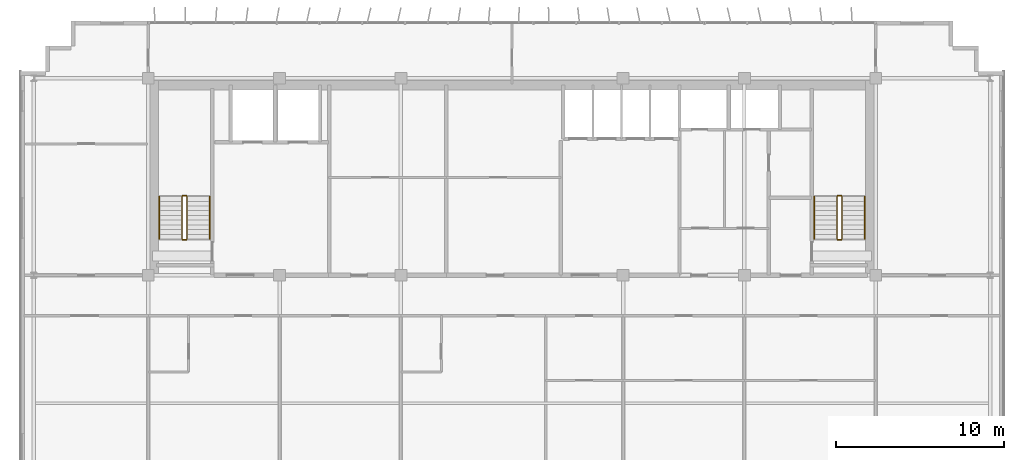
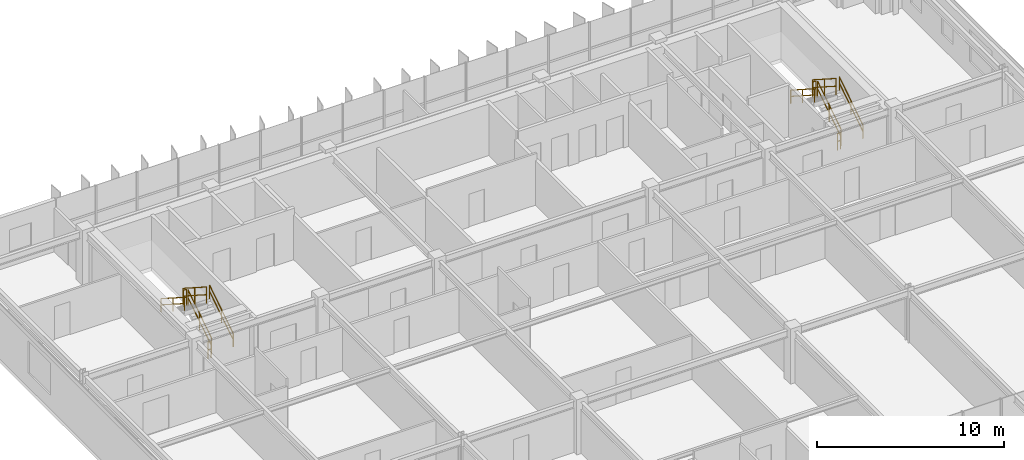
# One storey, part 27 of 27: 12 railings.
"""IFC4 building model written with IfcOpenShell, lengths in metres."""

import ifcopenshell
import ifcopenshell.guid

model = None  # the IFC model being written
_history = None  # IfcOwnerHistory: only IFC2X3 demands one
_inside = {}  # id of a spatial element -> (the spatial element, [elements in it])
_under = {}  # id of a project, library or spatial element -> (it, [spatial elements below it])
_declared = {}  # id of a project -> (the project, [libraries it declares])
_typed = {}  # id of a type object -> (the type object, [elements of that type])
_made_of = {}  # id of a material, layer set ... -> (it, [elements and type objects made of it])


def new_model(schema):
    """Start an empty IFC model of exactly this schema.

    Asked for "IFC4X3", IfcOpenShell would pick the latest addendum, in which some entities
    have other attributes; the version numbers below select the first issue.
    IFC2X3 requires an IfcOwnerHistory on every rooted entity: one is made here for all.
    """
    global model, _history
    if schema == "IFC4X3":
        model = ifcopenshell.file(schema_version=(4, 3, 0, 0))
    else:
        model = ifcopenshell.file(schema=schema)
    _inside.clear()
    _under.clear()
    _declared.clear()
    _typed.clear()
    _made_of.clear()
    _history = None
    if model.schema == "IFC2X3":
        org = make("IfcOrganization", Name="unknown")
        user = make(
            "IfcPersonAndOrganization",
            ThePerson=make("IfcPerson", FamilyName="unknown"),
            TheOrganization=org,
        )
        app = make(
            "IfcApplication",
            ApplicationDeveloper=org,
            Version="unknown",
            ApplicationFullName="unknown",
            ApplicationIdentifier="unknown",
        )
        _history = make(
            "IfcOwnerHistory",
            OwningUser=user,
            OwningApplication=app,
            ChangeAction="ADDED",
            CreationDate=0,
        )
    return model


def make(cls, **values):
    """One entity of the class cls with the attributes given. An attribute that is None is left unset."""
    return model.create_entity(
        cls, **{name: value for name, value in values.items() if value is not None}
    )


def rooted(cls, **values):
    """An entity with a GlobalId (a new one), such as an element, a storey or a relation."""
    return make(cls, GlobalId=ifcopenshell.guid.new(), OwnerHistory=_history, **values)


def si_unit(unit_type, name, prefix=None):
    """IfcSIUnit, for example si_unit("LENGTHUNIT", "METRE", prefix="MILLI")."""
    return make("IfcSIUnit", UnitType=unit_type, Prefix=prefix, Name=name)


def assignment(units):
    """IfcUnitAssignment: the units of a project."""
    return None if units is None else make("IfcUnitAssignment", Units=units)


def point(xyz):
    """IfcCartesianPoint."""
    return None if xyz is None else make("IfcCartesianPoint", Coordinates=xyz)


def direction(xyz):
    """IfcDirection."""
    return None if xyz is None else make("IfcDirection", DirectionRatios=xyz)


def frame(location, z_axis=None, x_axis=None):
    """IfcAxis2Placement3D, a coordinate frame: its origin and axes. An axis left out is left unset."""
    return make(
        "IfcAxis2Placement3D",
        Location=point(location),
        Axis=direction(z_axis),
        RefDirection=direction(x_axis),
    )


def frame_2d(location, x_axis=None):
    """IfcAxis2Placement2D, a coordinate frame in the plane: its origin and x axis."""
    return make(
        "IfcAxis2Placement2D", Location=point(location), RefDirection=direction(x_axis)
    )


def origin():
    """The frame at (0, 0, 0) with its axes left unset."""
    return frame((0.0, 0.0, 0.0))


def origin_2d():
    """The frame at (0, 0) in the plane with its x axis left unset."""
    return frame_2d((0.0, 0.0))


def place(relative_to, where):
    """IfcLocalPlacement: puts the frame where relative to a parent placement (None: the world)."""
    return make(
        "IfcLocalPlacement", PlacementRelTo=relative_to, RelativePlacement=where
    )


def context(
    kind, dimensions, precision=None, world=None, true_north=None, identifier=None
):
    """IfcGeometricRepresentationContext, for example the 3D "Model" context."""
    return make(
        "IfcGeometricRepresentationContext",
        ContextIdentifier=identifier,
        ContextType=kind,
        CoordinateSpaceDimension=dimensions,
        Precision=precision,
        WorldCoordinateSystem=world,
        TrueNorth=true_north,
    )


def subcontext(parent, identifier, kind, view, scale=None):
    """IfcGeometricRepresentationSubContext, for example "Body" below "Model"."""
    return make(
        "IfcGeometricRepresentationSubContext",
        ContextIdentifier=identifier,
        ContextType=kind,
        ParentContext=parent,
        TargetScale=scale,
        TargetView=view,
    )


def project(units=None, contexts=None):
    """IfcProject with its units and contexts."""
    return rooted(
        "IfcProject",
        Name="project",
        RepresentationContexts=contexts,
        UnitsInContext=assignment(units),
    )


def spatial(cls, under=None, at=None, **own):
    """A site, building, storey or space (cls), placed at a placement, below another one or the project."""
    s = rooted(cls, ObjectPlacement=at, **own)
    if under is not None:
        _under.setdefault(under.id(), (under, []))[1].append(s)
    return s


def profile(cls, at=None, kind="AREA", **sizes):
    """A parametric profile (cls). Its sizes go by their IFC names, for example OverallWidth=200.0."""
    return make(cls, ProfileType=kind, Position=at, **sizes)


def rectangle(**sizes):
    """IfcRectangleProfileDef."""
    return profile("IfcRectangleProfileDef", **sizes)


def extrude(swept, where, along, depth):
    """IfcExtrudedAreaSolid: the profile swept, set in the frame where, extruded along a direction by depth."""
    return make(
        "IfcExtrudedAreaSolid",
        SweptArea=swept,
        Position=where,
        ExtrudedDirection=direction(along),
        Depth=depth,
    )


def shape(context_of_items, identifier, shape_type, items):
    """IfcShapeRepresentation: the items that make up one representation, for example the "Body"."""
    return make(
        "IfcShapeRepresentation",
        ContextOfItems=context_of_items,
        RepresentationIdentifier=identifier,
        RepresentationType=shape_type,
        Items=items,
    )


def material(Name=None, Category=None):
    """IfcMaterial."""
    return make("IfcMaterial", Name=Name, Category=Category)


def made_of(thing, what):
    """Note that an element or type object is made of a material, layer set ...; save() writes the relation."""
    if what is not None:
        _made_of.setdefault(what.id(), (what, []))[1].append(thing)
    return thing


def type_object(cls, material=None, **own):
    """A type object (cls), such as IfcWallType, which elements share."""
    return made_of(rooted(cls, **own), material)


def element(
    cls,
    number,
    at=None,
    inside=None,
    cuts=None,
    type_object=None,
    material=None,
    context=None,
    identifier="Body",
    shape_type=None,
    held_by="IfcProductDefinitionShape",
    body=None,
    shapes=None,
    **own,
):
    """One element of the class cls, such as IfcWall. Its Tag is "e" and its number.

    at: its placement. inside: the storey or other place that contains it. cuts: it is an
    opening in that element (IfcRelVoidsElement). A single representation is given by context,
    identifier, shape_type and body (its items); several are given by shapes. held_by: the class
    of the entity that holds the representations. save() writes the other relations.
    """
    e = rooted(cls, Tag="e%d" % number, ObjectPlacement=at, **own)
    if body is not None:
        shapes = [shape(context, identifier, shape_type, body)]
    if shapes is not None:
        e.Representation = make(held_by, Representations=shapes)
    if inside is not None:
        _inside.setdefault(inside.id(), (inside, []))[1].append(e)
    if cuts is not None:
        rooted(
            "IfcRelVoidsElement", RelatingBuildingElement=cuts, RelatedOpeningElement=e
        )
    if type_object is not None:
        _typed.setdefault(type_object.id(), (type_object, []))[1].append(e)
    return made_of(e, material)


def aggregate(whole, parts):
    """IfcRelAggregates: a whole, such as a stair, and the parts it consists of."""
    return rooted("IfcRelAggregates", RelatingObject=whole, RelatedObjects=parts)


def save(model, path):
    """Write the relations noted so far, then the file.

    IfcRelAggregates (storeys below a building ...), IfcRelContainedInSpatialStructure (elements
    in a storey), IfcRelDefinesByType, IfcRelAssociatesMaterial and IfcRelDeclares: one each for
    every whole, place, type object, material and project.
    """
    for whole, parts in _under.values():
        aggregate(whole, parts)
    for where, things in _inside.values():
        rooted(
            "IfcRelContainedInSpatialStructure",
            RelatedElements=things,
            RelatingStructure=where,
        )
    for kind, things in _typed.values():
        rooted("IfcRelDefinesByType", RelatedObjects=things, RelatingType=kind)
    for what, things in _made_of.values():
        rooted("IfcRelAssociatesMaterial", RelatedObjects=things, RelatingMaterial=what)
    for by, libraries in _declared.values():
        rooted("IfcRelDeclares", RelatingContext=by, RelatedDefinitions=libraries)
    model.write(path)


model = new_model("IFC4")

# Units and contexts
model_context = context("Model", 3, precision=1e-05, world=origin(), true_north=direction((0.0, 1.0)))
body_context = subcontext(model_context, "Body", "Model", "MODEL_VIEW")
ifc_project = project(units=[si_unit("LENGTHUNIT", "METRE"), si_unit("AREAUNIT", "SQUARE_METRE"), si_unit("VOLUMEUNIT", "CUBIC_METRE"), si_unit("PLANEANGLEUNIT", "RADIAN"), si_unit("MASSUNIT", "GRAM", prefix="KILO")], contexts=[model_context])

# Site, building, storey
site_placement = place(None, origin())
site = spatial("IfcSite", under=ifc_project, at=site_placement, CompositionType="ELEMENT")
building_placement = place(site_placement, origin())
building = spatial("IfcBuilding", under=site, at=building_placement, Name="Trelvane Seafront Commons", CompositionType="ELEMENT")
storey_placement = place(building_placement, frame((0.0, 0.0, 233.699951171875)))
storey = spatial("IfcBuildingStorey", under=building, at=storey_placement, Name="L61", CompositionType="ELEMENT", Elevation=233.699951171875)

# Railings
ifc_material = material(Name="Stainless steel balustrade", Category="steel")
railing_type_1 = type_object("IfcRailingType", Name="ARCH-SRL-GUARD", PredefinedType="GUARDRAIL", material=ifc_material)
railing_1_placement = place(storey_placement, frame((17.89990234375, 35.550048828125, 0.179931640625)))
element("IfcRailing", 1, at=railing_1_placement, inside=storey, type_object=railing_type_1, Name="L61 ST-1 stair guard 1", PredefinedType="GUARDRAIL", context=body_context, shape_type="SweptSolid", body=[
    extrude(rectangle(XDim=0.048095703125, YDim=0.048095703125, at=origin_2d()), frame((0.0, 0.0, 1.076171875), z_axis=(0.0, 0.841162588446, 0.540782303519), x_axis=(-1.0, 0.0, 0.0)), (0.0, 0.0, 1.0), 2.995849609375),
    extrude(rectangle(XDim=0.048095703125, YDim=0.048095703125, at=origin_2d()), frame((0.0, 0.0, 0.572021484375), z_axis=(0.0, 0.841162588446, 0.540782303519), x_axis=(-1.0, 0.0, 0.0)), (0.0, 0.0, 1.0), 2.995849609375),
    extrude(rectangle(XDim=0.0419921875, YDim=0.0419921875, at=origin_2d()), origin(), (0.0, 0.0, 1.0), 1.076171875),
    extrude(rectangle(XDim=0.0419921875, YDim=0.0419921875, at=origin_2d()), frame((0.0, 1.260009765625, 0.81005859375)), (0.0, 0.0, 1.0), 1.076171875),
    extrude(rectangle(XDim=0.0419921875, YDim=0.0419921875, at=origin_2d()), frame((0.0, 2.52001953125, 1.6201171875)), (0.0, 0.0, 1.0), 1.076171875),
])
railing_2_placement = place(storey_placement, frame((17.85009765625, 38.1201171875, 1.800048828125)))
element("IfcRailing", 2, at=railing_2_placement, inside=storey, type_object=railing_type_1, Name="L61 ST-1 stair guard 2", PredefinedType="GUARDRAIL", context=body_context, shape_type="SweptSolid", body=[
    extrude(rectangle(XDim=0.048095703125, YDim=0.048095703125, at=origin_2d()), frame((0.0, 0.0, 1.076171875), z_axis=(-1.0, 0.0, 0.0), x_axis=(0.0, -1.0, 0.0)), (0.0, 0.0, 1.0), 0.2001953125),
    extrude(rectangle(XDim=0.048095703125, YDim=0.048095703125, at=origin_2d()), frame((0.0, 0.0, 0.572021484375), z_axis=(-1.0, 0.0, 0.0), x_axis=(0.0, -1.0, 0.0)), (0.0, 0.0, 1.0), 0.2001953125),
    extrude(rectangle(XDim=0.0419921875, YDim=0.0419921875, at=origin_2d()), origin(), (0.0, 0.0, 1.0), 1.076171875),
    extrude(rectangle(XDim=0.0419921875, YDim=0.0419921875, at=origin_2d()), frame((-0.2001953125, 0.0, 0.0)), (0.0, 0.0, 1.0), 1.076171875),
])
railing_3_placement = place(storey_placement, frame((17.60009765625, 38.070068359375, 1.97998046875)))
element("IfcRailing", 3, at=railing_3_placement, inside=storey, type_object=railing_type_1, Name="L61 ST-1 stair guard 3", PredefinedType="GUARDRAIL", context=body_context, shape_type="SweptSolid", body=[
    extrude(rectangle(XDim=0.048095703125, YDim=0.048095703125, at=origin_2d()), frame((0.0, 0.0, 1.076171875), z_axis=(0.0, -0.841162588446, 0.540782303519), x_axis=(1.0, 0.0, 0.0)), (0.0, 0.0, 1.0), 2.995849609375),
    extrude(rectangle(XDim=0.048095703125, YDim=0.048095703125, at=origin_2d()), frame((0.0, 0.0, 0.572021484375), z_axis=(0.0, -0.841162588446, 0.540782303519), x_axis=(1.0, 0.0, 0.0)), (0.0, 0.0, 1.0), 2.995849609375),
    extrude(rectangle(XDim=0.0419921875, YDim=0.0419921875, at=origin_2d()), origin(), (0.0, 0.0, 1.0), 1.076171875),
    extrude(rectangle(XDim=0.0419921875, YDim=0.0419921875, at=origin_2d()), frame((0.0, -1.260009765625, 0.81005859375)), (0.0, 0.0, 1.0), 1.076171875),
    extrude(rectangle(XDim=0.0419921875, YDim=0.0419921875, at=origin_2d()), frame((0.0, -2.52001953125, 1.6201171875)), (0.0, 0.0, 1.0), 1.076171875),
])
railing_4_placement = place(storey_placement, frame((17.85009765625, 35.5, 0.0)))
element("IfcRailing", 4, at=railing_4_placement, inside=storey, type_object=railing_type_1, Name="L61 ST-1 stair guard 4", PredefinedType="GUARDRAIL", context=body_context, shape_type="SweptSolid", body=[
    extrude(rectangle(XDim=0.048095703125, YDim=0.048095703125, at=origin_2d()), frame((0.0, 0.0, 1.076171875), z_axis=(-1.0, 0.0, 0.0), x_axis=(0.0, -1.0, 0.0)), (0.0, 0.0, 1.0), 0.2001953125),
    extrude(rectangle(XDim=0.048095703125, YDim=0.048095703125, at=origin_2d()), frame((0.0, 0.0, 0.572021484375), z_axis=(-1.0, 0.0, 0.0), x_axis=(0.0, -1.0, 0.0)), (0.0, 0.0, 1.0), 0.2001953125),
    extrude(rectangle(XDim=0.0419921875, YDim=0.0419921875, at=origin_2d()), origin(), (0.0, 0.0, 1.0), 1.076171875),
    extrude(rectangle(XDim=0.0419921875, YDim=0.0419921875, at=origin_2d()), frame((-0.2001953125, 0.0, 0.0)), (0.0, 0.0, 1.0), 1.076171875),
])
railing_5_placement = place(storey_placement, frame((56.800048828125, 35.550048828125, 0.179931640625)))
element("IfcRailing", 5, at=railing_5_placement, inside=storey, type_object=railing_type_1, Name="L61 ST-2 stair guard 1", PredefinedType="GUARDRAIL", context=body_context, shape_type="SweptSolid", body=[
    extrude(rectangle(XDim=0.048095703125, YDim=0.048095703125, at=origin_2d()), frame((0.0, 0.0, 1.076171875), z_axis=(0.0, 0.841162588446, 0.540782303519), x_axis=(-1.0, 0.0, 0.0)), (0.0, 0.0, 1.0), 2.995849609375),
    extrude(rectangle(XDim=0.048095703125, YDim=0.048095703125, at=origin_2d()), frame((0.0, 0.0, 0.572021484375), z_axis=(0.0, 0.841162588446, 0.540782303519), x_axis=(-1.0, 0.0, 0.0)), (0.0, 0.0, 1.0), 2.995849609375),
    extrude(rectangle(XDim=0.0419921875, YDim=0.0419921875, at=origin_2d()), origin(), (0.0, 0.0, 1.0), 1.076171875),
    extrude(rectangle(XDim=0.0419921875, YDim=0.0419921875, at=origin_2d()), frame((0.0, 1.260009765625, 0.81005859375)), (0.0, 0.0, 1.0), 1.076171875),
    extrude(rectangle(XDim=0.0419921875, YDim=0.0419921875, at=origin_2d()), frame((0.0, 2.52001953125, 1.6201171875)), (0.0, 0.0, 1.0), 1.076171875),
])
railing_6_placement = place(storey_placement, frame((56.75, 38.1201171875, 1.800048828125)))
element("IfcRailing", 6, at=railing_6_placement, inside=storey, type_object=railing_type_1, Name="L61 ST-2 stair guard 2", PredefinedType="GUARDRAIL", context=body_context, shape_type="SweptSolid", body=[
    extrude(rectangle(XDim=0.048095703125, YDim=0.048095703125, at=origin_2d()), frame((0.0, 0.0, 1.076171875), z_axis=(-1.0, 0.0, 0.0), x_axis=(0.0, -1.0, 0.0)), (0.0, 0.0, 1.0), 0.199951171875),
    extrude(rectangle(XDim=0.048095703125, YDim=0.048095703125, at=origin_2d()), frame((0.0, 0.0, 0.572021484375), z_axis=(-1.0, 0.0, 0.0), x_axis=(0.0, -1.0, 0.0)), (0.0, 0.0, 1.0), 0.199951171875),
    extrude(rectangle(XDim=0.0419921875, YDim=0.0419921875, at=origin_2d()), origin(), (0.0, 0.0, 1.0), 1.076171875),
    extrude(rectangle(XDim=0.0419921875, YDim=0.0419921875, at=origin_2d()), frame((-0.199951171875, 0.0, 0.0)), (0.0, 0.0, 1.0), 1.076171875),
])
railing_7_placement = place(storey_placement, frame((56.5, 38.070068359375, 1.97998046875)))
element("IfcRailing", 7, at=railing_7_placement, inside=storey, type_object=railing_type_1, Name="L61 ST-2 stair guard 3", PredefinedType="GUARDRAIL", context=body_context, shape_type="SweptSolid", body=[
    extrude(rectangle(XDim=0.048095703125, YDim=0.048095703125, at=origin_2d()), frame((0.0, 0.0, 1.076171875), z_axis=(0.0, -0.841162588446, 0.540782303519), x_axis=(1.0, 0.0, 0.0)), (0.0, 0.0, 1.0), 2.995849609375),
    extrude(rectangle(XDim=0.048095703125, YDim=0.048095703125, at=origin_2d()), frame((0.0, 0.0, 0.572021484375), z_axis=(0.0, -0.841162588446, 0.540782303519), x_axis=(1.0, 0.0, 0.0)), (0.0, 0.0, 1.0), 2.995849609375),
    extrude(rectangle(XDim=0.0419921875, YDim=0.0419921875, at=origin_2d()), origin(), (0.0, 0.0, 1.0), 1.076171875),
    extrude(rectangle(XDim=0.0419921875, YDim=0.0419921875, at=origin_2d()), frame((0.0, -1.260009765625, 0.81005859375)), (0.0, 0.0, 1.0), 1.076171875),
    extrude(rectangle(XDim=0.0419921875, YDim=0.0419921875, at=origin_2d()), frame((0.0, -2.52001953125, 1.6201171875)), (0.0, 0.0, 1.0), 1.076171875),
])
railing_8_placement = place(storey_placement, frame((56.75, 35.5, 0.0)))
element("IfcRailing", 8, at=railing_8_placement, inside=storey, type_object=railing_type_1, Name="L61 ST-2 stair guard 4", PredefinedType="GUARDRAIL", context=body_context, shape_type="SweptSolid", body=[
    extrude(rectangle(XDim=0.048095703125, YDim=0.048095703125, at=origin_2d()), frame((0.0, 0.0, 1.076171875), z_axis=(-1.0, 0.0, 0.0), x_axis=(0.0, -1.0, 0.0)), (0.0, 0.0, 1.0), 0.199951171875),
    extrude(rectangle(XDim=0.048095703125, YDim=0.048095703125, at=origin_2d()), frame((0.0, 0.0, 0.572021484375), z_axis=(-1.0, 0.0, 0.0), x_axis=(0.0, -1.0, 0.0)), (0.0, 0.0, 1.0), 0.199951171875),
    extrude(rectangle(XDim=0.0419921875, YDim=0.0419921875, at=origin_2d()), origin(), (0.0, 0.0, 1.0), 1.076171875),
    extrude(rectangle(XDim=0.0419921875, YDim=0.0419921875, at=origin_2d()), frame((-0.199951171875, 0.0, 0.0)), (0.0, 0.0, 1.0), 1.076171875),
])
railing_type_2 = type_object("IfcRailingType", Name="ARCH-SRL-HAND", PredefinedType="HANDRAIL", material=ifc_material)
railing_9_placement = place(storey_placement, frame((19.25, 35.550048828125, 0.179931640625)))
element("IfcRailing", 9, at=railing_9_placement, inside=storey, type_object=railing_type_2, Name="L61 ST-1 stair handrail 1", PredefinedType="HANDRAIL", context=body_context, shape_type="SweptSolid", body=[
    extrude(rectangle(XDim=0.048095703125, YDim=0.048095703125, at=origin_2d()), frame((0.0, 0.0, 0.8759765625), z_axis=(0.0, 0.841162588446, 0.540782303519), x_axis=(-1.0, 0.0, 0.0)), (0.0, 0.0, 1.0), 2.995849609375),
    extrude(rectangle(XDim=0.048095703125, YDim=0.048095703125, at=origin_2d()), frame((0.0, 0.0, 0.468017578125), z_axis=(0.0, 0.841162588446, 0.540782303519), x_axis=(-1.0, 0.0, 0.0)), (0.0, 0.0, 1.0), 2.995849609375),
    extrude(rectangle(XDim=0.0419921875, YDim=0.0419921875, at=origin_2d()), origin(), (0.0, 0.0, 1.0), 0.8759765625),
    extrude(rectangle(XDim=0.0419921875, YDim=0.0419921875, at=origin_2d()), frame((0.0, 1.260009765625, 0.81005859375)), (0.0, 0.0, 1.0), 0.8759765625),
    extrude(rectangle(XDim=0.0419921875, YDim=0.0419921875, at=origin_2d()), frame((0.0, 2.52001953125, 1.6201171875)), (0.0, 0.0, 1.0), 0.8759765625),
])
railing_10_placement = place(storey_placement, frame((16.25, 38.070068359375, 1.97998046875)))
element("IfcRailing", 10, at=railing_10_placement, inside=storey, type_object=railing_type_2, Name="L61 ST-1 stair handrail 2", PredefinedType="HANDRAIL", context=body_context, shape_type="SweptSolid", body=[
    extrude(rectangle(XDim=0.048095703125, YDim=0.048095703125, at=origin_2d()), frame((0.0, 0.0, 0.8759765625), z_axis=(0.0, -0.841162588446, 0.540782303519), x_axis=(1.0, 0.0, 0.0)), (0.0, 0.0, 1.0), 2.995849609375),
    extrude(rectangle(XDim=0.048095703125, YDim=0.048095703125, at=origin_2d()), frame((0.0, 0.0, 0.468017578125), z_axis=(0.0, -0.841162588446, 0.540782303519), x_axis=(1.0, 0.0, 0.0)), (0.0, 0.0, 1.0), 2.995849609375),
    extrude(rectangle(XDim=0.0419921875, YDim=0.0419921875, at=origin_2d()), origin(), (0.0, 0.0, 1.0), 0.8759765625),
    extrude(rectangle(XDim=0.0419921875, YDim=0.0419921875, at=origin_2d()), frame((0.0, -1.260009765625, 0.81005859375)), (0.0, 0.0, 1.0), 0.8759765625),
    extrude(rectangle(XDim=0.0419921875, YDim=0.0419921875, at=origin_2d()), frame((0.0, -2.52001953125, 1.6201171875)), (0.0, 0.0, 1.0), 0.8759765625),
])
railing_11_placement = place(storey_placement, frame((58.14990234375, 35.550048828125, 0.179931640625)))
element("IfcRailing", 11, at=railing_11_placement, inside=storey, type_object=railing_type_2, Name="L61 ST-2 stair handrail 1", PredefinedType="HANDRAIL", context=body_context, shape_type="SweptSolid", body=[
    extrude(rectangle(XDim=0.048095703125, YDim=0.048095703125, at=origin_2d()), frame((0.0, 0.0, 0.8759765625), z_axis=(0.0, 0.841162588446, 0.540782303519), x_axis=(-1.0, 0.0, 0.0)), (0.0, 0.0, 1.0), 2.995849609375),
    extrude(rectangle(XDim=0.048095703125, YDim=0.048095703125, at=origin_2d()), frame((0.0, 0.0, 0.468017578125), z_axis=(0.0, 0.841162588446, 0.540782303519), x_axis=(-1.0, 0.0, 0.0)), (0.0, 0.0, 1.0), 2.995849609375),
    extrude(rectangle(XDim=0.0419921875, YDim=0.0419921875, at=origin_2d()), origin(), (0.0, 0.0, 1.0), 0.8759765625),
    extrude(rectangle(XDim=0.0419921875, YDim=0.0419921875, at=origin_2d()), frame((0.0, 1.260009765625, 0.81005859375)), (0.0, 0.0, 1.0), 0.8759765625),
    extrude(rectangle(XDim=0.0419921875, YDim=0.0419921875, at=origin_2d()), frame((0.0, 2.52001953125, 1.6201171875)), (0.0, 0.0, 1.0), 0.8759765625),
])
railing_12_placement = place(storey_placement, frame((55.14990234375, 38.070068359375, 1.97998046875)))
element("IfcRailing", 12, at=railing_12_placement, inside=storey, type_object=railing_type_2, Name="L61 ST-2 stair handrail 2", PredefinedType="HANDRAIL", context=body_context, shape_type="SweptSolid", body=[
    extrude(rectangle(XDim=0.048095703125, YDim=0.048095703125, at=origin_2d()), frame((0.0, 0.0, 0.8759765625), z_axis=(0.0, -0.841162588446, 0.540782303519), x_axis=(1.0, 0.0, 0.0)), (0.0, 0.0, 1.0), 2.995849609375),
    extrude(rectangle(XDim=0.048095703125, YDim=0.048095703125, at=origin_2d()), frame((0.0, 0.0, 0.468017578125), z_axis=(0.0, -0.841162588446, 0.540782303519), x_axis=(1.0, 0.0, 0.0)), (0.0, 0.0, 1.0), 2.995849609375),
    extrude(rectangle(XDim=0.0419921875, YDim=0.0419921875, at=origin_2d()), origin(), (0.0, 0.0, 1.0), 0.8759765625),
    extrude(rectangle(XDim=0.0419921875, YDim=0.0419921875, at=origin_2d()), frame((0.0, -1.260009765625, 0.81005859375)), (0.0, 0.0, 1.0), 0.8759765625),
    extrude(rectangle(XDim=0.0419921875, YDim=0.0419921875, at=origin_2d()), frame((0.0, -2.52001953125, 1.6201171875)), (0.0, 0.0, 1.0), 0.8759765625),
])

save(model, "model.ifc")
